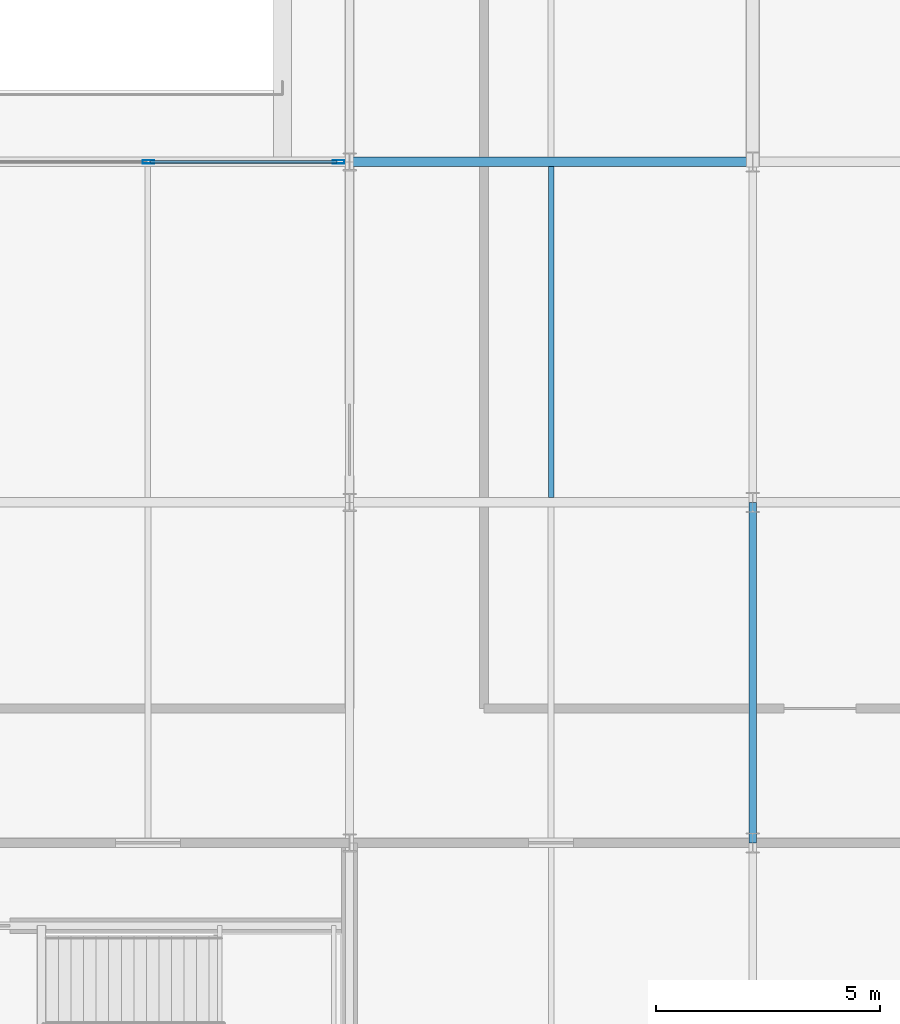
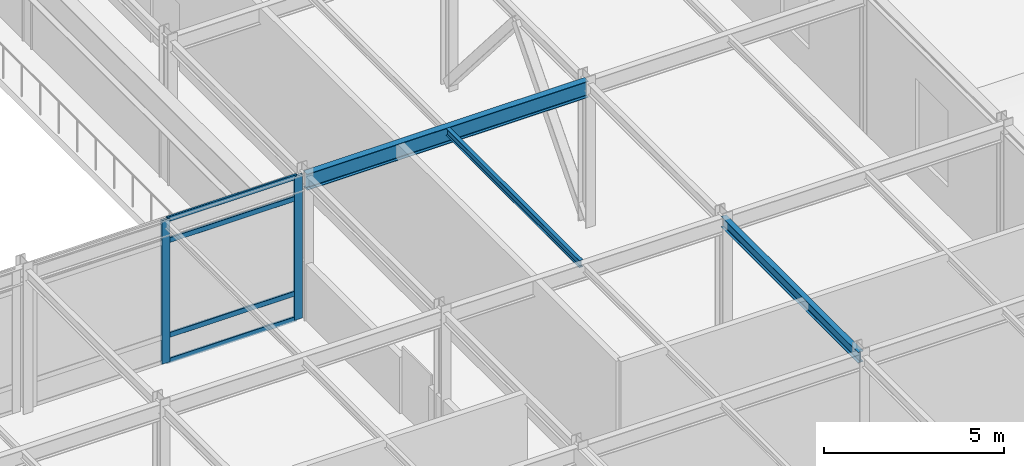
# One storey, part 56 of 113: 6 members, 3 beams, 1 element without a shape of its own.
"""IFC4 building model written with IfcOpenShell, lengths in metres."""

from ifc_helpers import new_model, si_unit, direction, frame, origin, origin_2d, place, context, subcontext, project, spatial, hollow_rectangle, i_section, extrude, material, layer, layer_set, material_profile, profile_set, type_object, element, aggregate, save


model = new_model("IFC4")

# Units and contexts
model_context = context("Model", 3, precision=1e-05, world=origin(), true_north=direction((0.0, 1.0)))
body_context = subcontext(model_context, "Body", "Model", "MODEL_VIEW")
ifc_project = project(units=[si_unit("LENGTHUNIT", "METRE"), si_unit("AREAUNIT", "SQUARE_METRE"), si_unit("VOLUMEUNIT", "CUBIC_METRE"), si_unit("PLANEANGLEUNIT", "RADIAN"), si_unit("MASSUNIT", "GRAM", prefix="KILO")], contexts=[model_context])

# Site, building, storey
site_placement = place(None, origin())
site = spatial("IfcSite", under=ifc_project, at=site_placement, CompositionType="ELEMENT")
building_placement = place(site_placement, origin())
building = spatial("IfcBuilding", under=site, at=building_placement, Name="Shalkamar Park Central Library", CompositionType="ELEMENT")
storey_placement = place(building_placement, frame((0.0, 0.0, 5.39990234375)))
storey = spatial("IfcBuildingStorey", under=building, at=storey_placement, Name="L02", CompositionType="ELEMENT", Elevation=5.39990234375)

# Beam
ifc_material_1 = material(Name="Steel S355", Category="steel")
ifc_material_profile_1 = material_profile(ifc_material_1, i_section(OverallWidth=0.1201171875, OverallDepth=0.239990234375, WebThickness=0.006103515625, FlangeThickness=0.009765625, FilletRadius=0.014892578125, at=origin_2d()), Name="IPE 240")
ifc_profile_set_1 = profile_set([ifc_material_profile_1], Name="Steel S355")
beam_type_1 = type_object("IfcBeamType", Name="Composite Floor Joist IPE240", PredefinedType="JOIST", material=ifc_profile_set_1)
beam_1_placement = place(storey_placement, frame((259.5, 262.903076171875, 4.739990234375), z_axis=(0.0, 1.0, 0.0), x_axis=(-1.0, 0.0, 0.0)))
element("IfcBeam", 1, at=beam_1_placement, inside=storey, type_object=beam_type_1, Name="Composite Joist 18/D-1 (L02)", PredefinedType="JOIST", context=body_context, shape_type="SweptSolid", body=[
    extrude(i_section(OverallWidth=0.1201171875, OverallDepth=0.239990234375, WebThickness=0.006103515625, FlangeThickness=0.009765625, FilletRadius=0.014892578125, at=origin_2d()), origin(), (0.0, 0.0, 1.0), 7.39404296875),
])

# Curtain wall, members
ifc_material_2 = material(Name="Thermally broken aluminium and triple low-e curtain wall", Category="aluminium")
ifc_layer = layer(ifc_material_2, 0.2548828125)
ifc_layer_set = layer_set([ifc_layer], Name="AtriumGlazedScreen_117")
curtain_wall_type = type_object("IfcCurtainWallType", Name="Atrium Glazed Screen 117", PredefinedType="USERDEFINED", material=ifc_layer_set)
curtain_wall_placement = place(storey_placement, origin())
curtain_wall = element("IfcCurtainWall", 2, at=curtain_wall_placement, inside=storey, type_object=curtain_wall_type, Name="Atrium Glazed Screen CW-L02-174", ObjectType="ATRIUM GLAZED SCREEN", PredefinedType="USERDEFINED")
ifc_material_3 = material(Name="Aluminium 6060-T66", Category="aluminium")
ifc_material_profile_2 = material_profile(ifc_material_3, hollow_rectangle(XDim=0.080078125, YDim=0.2548828125, WallThickness=0.00439453125, InnerFilletRadius=0.00439453125, OuterFilletRadius=0.0068359375, at=origin_2d()), Name="ALU 80x255x4.5")
ifc_profile_set_2 = profile_set([ifc_material_profile_2], Name="Aluminium 6060-T66")
member_type_1 = type_object("IfcMemberType", Name="Curtain Wall Mullion ALU80x255", PredefinedType="MULLION", material=ifc_profile_set_2)
member_1_placement = place(storey_placement, frame((250.512451171875, 270.39990234375, 0.0), z_axis=(0.0, 0.0, 1.0), x_axis=(0.0, 1.0, 0.0)))
member_1 = element("IfcMember", 3, at=member_1_placement, type_object=member_type_1, Name="CW-117 mullion 2", PredefinedType="MULLION", context=body_context, shape_type="SweptSolid", body=[
    extrude(hollow_rectangle(XDim=0.080078125, YDim=0.2548828125, WallThickness=0.00439453125, InnerFilletRadius=0.00439453125, OuterFilletRadius=0.0068359375, at=origin_2d()), origin(), (0.0, 0.0, 1.0), 4.860107421875),
])
member_2_placement = place(storey_placement, frame((254.756103515625, 270.39990234375, 0.0), z_axis=(0.0, 0.0, 1.0), x_axis=(0.0, 1.0, 0.0)))
member_2 = element("IfcMember", 4, at=member_2_placement, type_object=member_type_1, Name="CW-117 mullion 3", PredefinedType="MULLION", context=body_context, shape_type="SweptSolid", body=[
    extrude(hollow_rectangle(XDim=0.080078125, YDim=0.2548828125, WallThickness=0.00439453125, InnerFilletRadius=0.00439453125, OuterFilletRadius=0.0068359375, at=origin_2d()), origin(), (0.0, 0.0, 1.0), 4.860107421875),
])
ifc_material_profile_3 = material_profile(ifc_material_3, hollow_rectangle(XDim=0.06494140625, YDim=0.169921875, WallThickness=0.00390625, InnerFilletRadius=0.00390625, OuterFilletRadius=0.006103515625, at=origin_2d()), Name="ALU 65x170x4")
ifc_profile_set_3 = profile_set([ifc_material_profile_3], Name="Aluminium 6060-T66")
member_type_2 = type_object("IfcMemberType", Name="Curtain Wall Transom ALU65x170", PredefinedType="USERDEFINED", material=ifc_profile_set_3)
member_3_placement = place(storey_placement, frame((250.552490234375, 270.39990234375, 0.03271484375), z_axis=(1.0, 0.0, 0.0), x_axis=(0.0, 1.0, 0.0)))
member_3 = element("IfcMember", 5, at=member_3_placement, type_object=member_type_2, Name="CW-117 transom 2.1", ObjectType="TRANSOM", PredefinedType="USERDEFINED", context=body_context, shape_type="SweptSolid", body=[
    extrude(hollow_rectangle(XDim=0.06494140625, YDim=0.169921875, WallThickness=0.00390625, InnerFilletRadius=0.00390625, OuterFilletRadius=0.006103515625, at=origin_2d()), origin(), (0.0, 0.0, 1.0), 4.16357421875),
])
member_4_placement = place(storey_placement, frame((250.552490234375, 270.39990234375, 0.900146484375), z_axis=(1.0, 0.0, 0.0), x_axis=(0.0, 1.0, 0.0)))
member_4 = element("IfcMember", 6, at=member_4_placement, type_object=member_type_2, Name="CW-117 transom 2.2", ObjectType="TRANSOM", PredefinedType="USERDEFINED", context=body_context, shape_type="SweptSolid", body=[
    extrude(hollow_rectangle(XDim=0.06494140625, YDim=0.169921875, WallThickness=0.00390625, InnerFilletRadius=0.00390625, OuterFilletRadius=0.006103515625, at=origin_2d()), origin(), (0.0, 0.0, 1.0), 4.16357421875),
])
member_5_placement = place(storey_placement, frame((250.552490234375, 270.39990234375, 4.110107421875), z_axis=(1.0, 0.0, 0.0), x_axis=(0.0, 1.0, 0.0)))
member_5 = element("IfcMember", 7, at=member_5_placement, type_object=member_type_2, Name="CW-117 transom 2.3", ObjectType="TRANSOM", PredefinedType="USERDEFINED", context=body_context, shape_type="SweptSolid", body=[
    extrude(hollow_rectangle(XDim=0.06494140625, YDim=0.169921875, WallThickness=0.00390625, InnerFilletRadius=0.00390625, OuterFilletRadius=0.006103515625, at=origin_2d()), origin(), (0.0, 0.0, 1.0), 4.16357421875),
])
member_6_placement = place(storey_placement, frame((250.552490234375, 270.39990234375, 4.82763671875), z_axis=(1.0, 0.0, 0.0), x_axis=(0.0, 1.0, 0.0)))
member_6 = element("IfcMember", 8, at=member_6_placement, type_object=member_type_2, Name="CW-117 transom 2.4", ObjectType="TRANSOM", PredefinedType="USERDEFINED", context=body_context, shape_type="SweptSolid", body=[
    extrude(hollow_rectangle(XDim=0.06494140625, YDim=0.169921875, WallThickness=0.00390625, InnerFilletRadius=0.00390625, OuterFilletRadius=0.006103515625, at=origin_2d()), origin(), (0.0, 0.0, 1.0), 4.16357421875),
])
aggregate(curtain_wall, [member_1, member_2, member_3, member_4, member_5, member_6])

# Beams
ifc_material_profile_4 = material_profile(ifc_material_1, i_section(OverallWidth=0.169921875, OverallDepth=0.360107421875, WebThickness=0.008056640625, FlangeThickness=0.0126953125, FilletRadius=0.01806640625, at=origin_2d()), Name="IPE 360")
ifc_profile_set_4 = profile_set([ifc_material_profile_4], Name="Steel S355")
beam_type_2 = type_object("IfcBeamType", Name="Primary Girder IPE360", PredefinedType="BEAM", material=ifc_profile_set_4)
beam_2_placement = place(storey_placement, frame((264.0, 255.199951171875, 4.68017578125), z_axis=(0.0, 1.0, 0.0), x_axis=(-1.0, 0.0, 0.0)))
element("IfcBeam", 9, at=beam_2_placement, inside=storey, type_object=beam_type_2, Name="Beam 19:C-D (L02)", PredefinedType="BEAM", context=body_context, shape_type="SweptSolid", body=[
    extrude(i_section(OverallWidth=0.169921875, OverallDepth=0.360107421875, WebThickness=0.008056640625, FlangeThickness=0.0126953125, FilletRadius=0.01806640625, at=origin_2d()), origin(), (0.0, 0.0, 1.0), 7.60009765625),
])
ifc_material_profile_5 = material_profile(ifc_material_1, i_section(OverallWidth=0.2099609375, OverallDepth=0.550048828125, WebThickness=0.010986328125, FlangeThickness=0.01708984375, FilletRadius=0.02392578125, at=origin_2d()), Name="IPE 550")
ifc_profile_set_5 = profile_set([ifc_material_profile_5], Name="Steel S355")
beam_type_3 = type_object("IfcBeamType", Name="Primary Girder IPE550", PredefinedType="BEAM", material=ifc_profile_set_5)
beam_3_placement = place(storey_placement, frame((255.0, 270.39990234375, 4.585205078125), z_axis=(1.0, 0.0, 0.0), x_axis=(0.0, 1.0, 0.0)))
element("IfcBeam", 10, at=beam_3_placement, inside=storey, type_object=beam_type_3, Name="Beam E:18-19 (L02)", PredefinedType="BEAM", context=body_context, shape_type="SweptSolid", body=[
    extrude(i_section(OverallWidth=0.2099609375, OverallDepth=0.550048828125, WebThickness=0.010986328125, FlangeThickness=0.01708984375, FilletRadius=0.02392578125, at=origin_2d()), origin(), (0.0, 0.0, 1.0), 9.0),
])

save(model, "model.ifc")
